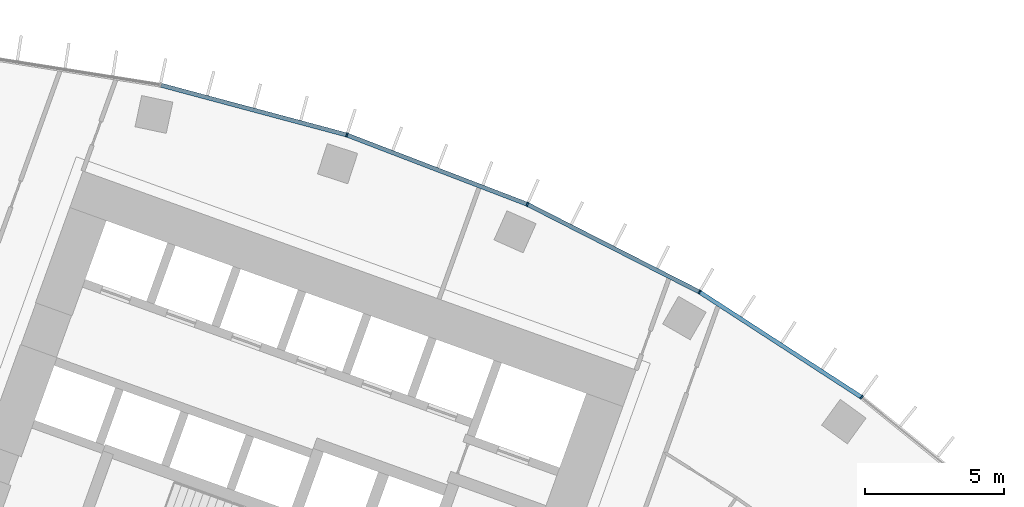
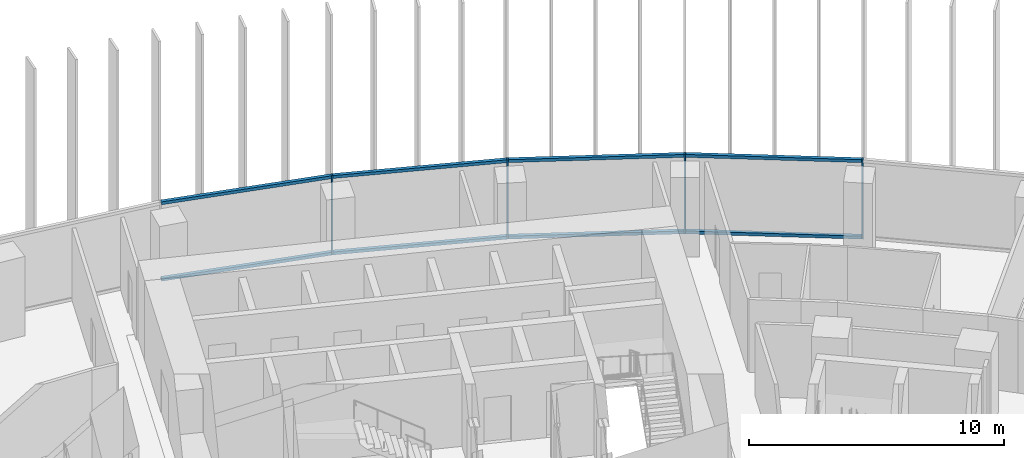
# One storey, part 11 of 22: 12 members, 1 element without a shape of its own.
"""IFC4 building model written with IfcOpenShell, lengths in metres."""

from ifc_helpers import new_model, si_unit, direction, frame, origin, origin_2d, place, context, subcontext, project, spatial, rectangle, extrude, material, layer, layer_set, material_profile, profile_set, type_object, element, aggregate, save


model = new_model("IFC4")

# Units and contexts
model_context = context("Model", 3, precision=1e-05, world=origin(), true_north=direction((0.0, 1.0)))
body_context = subcontext(model_context, "Body", "Model", "MODEL_VIEW")
ifc_project = project(units=[si_unit("LENGTHUNIT", "METRE"), si_unit("AREAUNIT", "SQUARE_METRE"), si_unit("VOLUMEUNIT", "CUBIC_METRE"), si_unit("PLANEANGLEUNIT", "RADIAN"), si_unit("MASSUNIT", "GRAM", prefix="KILO")], contexts=[model_context])

# Site, building, storey
site_placement = place(None, origin())
site = spatial("IfcSite", under=ifc_project, at=site_placement, CompositionType="ELEMENT")
building_placement = place(site_placement, origin())
building = spatial("IfcBuilding", under=site, at=building_placement, Name="Stone Belt Terrace Tower", CompositionType="ELEMENT")
storey_placement = place(building_placement, frame((0.0, 0.0, 121.199951171875)))
storey = spatial("IfcBuildingStorey", under=building, at=storey_placement, Name="L29", CompositionType="ELEMENT", Elevation=121.199951171875)

# Curtain wall, members
ifc_material = material(Name="Aluminium 6063-T6 anodised frame", Category="aluminium")
ifc_layer = layer(ifc_material, 0.14990234375)
ifc_layer_set = layer_set([ifc_layer], Name="CW-A unitised convex-face curtain wall")
curtain_wall_type = type_object("IfcCurtainWallType", Name="CW-A unitised convex-face curtain wall", PredefinedType="NOTDEFINED", material=ifc_layer_set)
curtain_wall_placement = place(storey_placement, origin())
curtain_wall = element("IfcCurtainWall", 1, at=curtain_wall_placement, inside=storey, type_object=curtain_wall_type, Name="CW-A convex face L29", PredefinedType="NOTDEFINED")
ifc_material_profile_1 = material_profile(ifc_material, rectangle(XDim=0.14990234375, YDim=0.06005859375, at=origin_2d()), Name="Aluminium 6063-T6 60x150")
ifc_profile_set_1 = profile_set([ifc_material_profile_1], Name="Aluminium 6063-T6 anodised frame")
member_type_1 = type_object("IfcMemberType", Name="CW-A mullion 60 x 150", PredefinedType="MULLION", material=ifc_profile_set_1)
member_1_placement = place(storey_placement, frame((39.1318359375, 53.8603515625, 0.0), z_axis=(0.0, 0.0, 1.0), x_axis=(-0.587785252292, -0.809016994375, 0.0)))
member_1 = element("IfcMember", 2, at=member_1_placement, type_object=member_type_1, Name="CW-A mullion 4", PredefinedType="MULLION", context=body_context, shape_type="SweptSolid", body=[
    extrude(rectangle(XDim=0.14990234375, YDim=0.06005859375, at=origin_2d()), origin(), (0.0, 0.0, 1.0), 3.800048828125),
])
member_2_placement = place(storey_placement, frame((33.28759765625, 57.65576171875, 0.0), z_axis=(0.0, 0.0, 1.0), x_axis=(-0.5, -0.866025403784, 0.0)))
member_2 = element("IfcMember", 3, at=member_2_placement, type_object=member_type_1, Name="CW-A mullion 5", PredefinedType="MULLION", context=body_context, shape_type="SweptSolid", body=[
    extrude(rectangle(XDim=0.14990234375, YDim=0.06005859375, at=origin_2d()), origin(), (0.0, 0.0, 1.0), 3.800048828125),
])
member_3_placement = place(storey_placement, frame((27.07861328125, 60.8193359375, 0.0), z_axis=(0.0, 0.0, 1.0), x_axis=(-0.406736643076, -0.913545457643, 0.0)))
member_3 = element("IfcMember", 4, at=member_3_placement, type_object=member_type_1, Name="CW-A mullion 6", PredefinedType="MULLION", context=body_context, shape_type="SweptSolid", body=[
    extrude(rectangle(XDim=0.14990234375, YDim=0.06005859375, at=origin_2d()), origin(), (0.0, 0.0, 1.0), 3.800048828125),
])
member_4_placement = place(storey_placement, frame((20.57275390625, 63.316650390625, 0.0), z_axis=(0.0, 0.0, 1.0), x_axis=(-0.309016994375, -0.951056516295, 0.0)))
member_4 = element("IfcMember", 5, at=member_4_placement, type_object=member_type_1, Name="CW-A mullion 7", PredefinedType="MULLION", context=body_context, shape_type="SweptSolid", body=[
    extrude(rectangle(XDim=0.14990234375, YDim=0.06005859375, at=origin_2d()), origin(), (0.0, 0.0, 1.0), 3.800048828125),
])
ifc_material_profile_2 = material_profile(ifc_material, rectangle(XDim=0.14990234375, YDim=0.139892578125, at=origin_2d()), Name="Aluminium 6063-T6 150x140")
ifc_profile_set_2 = profile_set([ifc_material_profile_2], Name="Aluminium 6063-T6 anodised frame")
member_type_2 = type_object("IfcMemberType", Name="CW-A transom 140 x 150", PredefinedType="USERDEFINED", material=ifc_profile_set_2)
member_5_placement = place(storey_placement, frame((39.103515625, 53.87890625, 0.070068359375), z_axis=(-0.83868440714, 0.544617723931, 0.0), x_axis=(-0.544617723931, -0.83868440714, 0.0)))
member_5 = element("IfcMember", 6, at=member_5_placement, type_object=member_type_2, Name="CW-A transom 4.1", ObjectType="TRANSOM", PredefinedType="USERDEFINED", context=body_context, shape_type="SweptSolid", body=[
    extrude(rectangle(XDim=0.14990234375, YDim=0.139892578125, at=origin_2d()), origin(), (0.0, 0.0, 1.0), 6.90087890625),
])
member_6_placement = place(storey_placement, frame((39.103515625, 53.87890625, 3.72998046875), z_axis=(-0.83868440714, 0.544617723931, 0.0), x_axis=(-0.544617723931, -0.83868440714, 0.0)))
member_6 = element("IfcMember", 7, at=member_6_placement, type_object=member_type_2, Name="CW-A transom 4.2", ObjectType="TRANSOM", PredefinedType="USERDEFINED", context=body_context, shape_type="SweptSolid", body=[
    extrude(rectangle(XDim=0.14990234375, YDim=0.139892578125, at=origin_2d()), origin(), (0.0, 0.0, 1.0), 6.90087890625),
])
member_7_placement = place(storey_placement, frame((33.25732421875, 57.671142578125, 0.070068359375), z_axis=(-0.891012226264, 0.453979308613, 0.0), x_axis=(-0.453979308613, -0.891012226264, 0.0)))
member_7 = element("IfcMember", 8, at=member_7_placement, type_object=member_type_2, Name="CW-A transom 5.1", ObjectType="TRANSOM", PredefinedType="USERDEFINED", context=body_context, shape_type="SweptSolid", body=[
    extrude(rectangle(XDim=0.14990234375, YDim=0.139892578125, at=origin_2d()), origin(), (0.0, 0.0, 1.0), 6.90087890625),
])
member_8_placement = place(storey_placement, frame((33.25732421875, 57.671142578125, 3.72998046875), z_axis=(-0.891012226264, 0.453979308613, 0.0), x_axis=(-0.453979308613, -0.891012226264, 0.0)))
member_8 = element("IfcMember", 9, at=member_8_placement, type_object=member_type_2, Name="CW-A transom 5.2", ObjectType="TRANSOM", PredefinedType="USERDEFINED", context=body_context, shape_type="SweptSolid", body=[
    extrude(rectangle(XDim=0.14990234375, YDim=0.139892578125, at=origin_2d()), origin(), (0.0, 0.0, 1.0), 6.90087890625),
])
member_9_placement = place(storey_placement, frame((27.046875, 60.83154296875, 0.070068359375), z_axis=(-0.933585210269, 0.358355487146, 0.0), x_axis=(-0.358355487146, -0.933585210269, 0.0)))
member_9 = element("IfcMember", 10, at=member_9_placement, type_object=member_type_2, Name="CW-A transom 6.1", ObjectType="TRANSOM", PredefinedType="USERDEFINED", context=body_context, shape_type="SweptSolid", body=[
    extrude(rectangle(XDim=0.14990234375, YDim=0.139892578125, at=origin_2d()), origin(), (0.0, 0.0, 1.0), 6.900634765625),
])
member_10_placement = place(storey_placement, frame((27.046875, 60.83154296875, 3.72998046875), z_axis=(-0.933585210269, 0.358355487146, 0.0), x_axis=(-0.358355487146, -0.933585210269, 0.0)))
member_10 = element("IfcMember", 11, at=member_10_placement, type_object=member_type_2, Name="CW-A transom 6.2", ObjectType="TRANSOM", PredefinedType="USERDEFINED", context=body_context, shape_type="SweptSolid", body=[
    extrude(rectangle(XDim=0.14990234375, YDim=0.139892578125, at=origin_2d()), origin(), (0.0, 0.0, 1.0), 6.900634765625),
])
member_11_placement = place(storey_placement, frame((20.5400390625, 63.325439453125, 0.070068359375), z_axis=(-0.965921835863, 0.258833937117, 0.0), x_axis=(-0.258833937117, -0.965921835863, 0.0)))
member_11 = element("IfcMember", 12, at=member_11_placement, type_object=member_type_2, Name="CW-A transom 7.1", ObjectType="TRANSOM", PredefinedType="USERDEFINED", context=body_context, shape_type="SweptSolid", body=[
    extrude(rectangle(XDim=0.14990234375, YDim=0.139892578125, at=origin_2d()), origin(), (0.0, 0.0, 1.0), 6.900634765625),
])
member_12_placement = place(storey_placement, frame((20.5400390625, 63.325439453125, 3.72998046875), z_axis=(-0.965921835863, 0.258833937117, 0.0), x_axis=(-0.258833937117, -0.965921835863, 0.0)))
member_12 = element("IfcMember", 13, at=member_12_placement, type_object=member_type_2, Name="CW-A transom 7.2", ObjectType="TRANSOM", PredefinedType="USERDEFINED", context=body_context, shape_type="SweptSolid", body=[
    extrude(rectangle(XDim=0.14990234375, YDim=0.139892578125, at=origin_2d()), origin(), (0.0, 0.0, 1.0), 6.900634765625),
])
aggregate(curtain_wall, [member_1, member_2, member_3, member_4, member_5, member_6, member_7, member_8, member_9, member_10, member_11, member_12])

save(model, "model.ifc")
